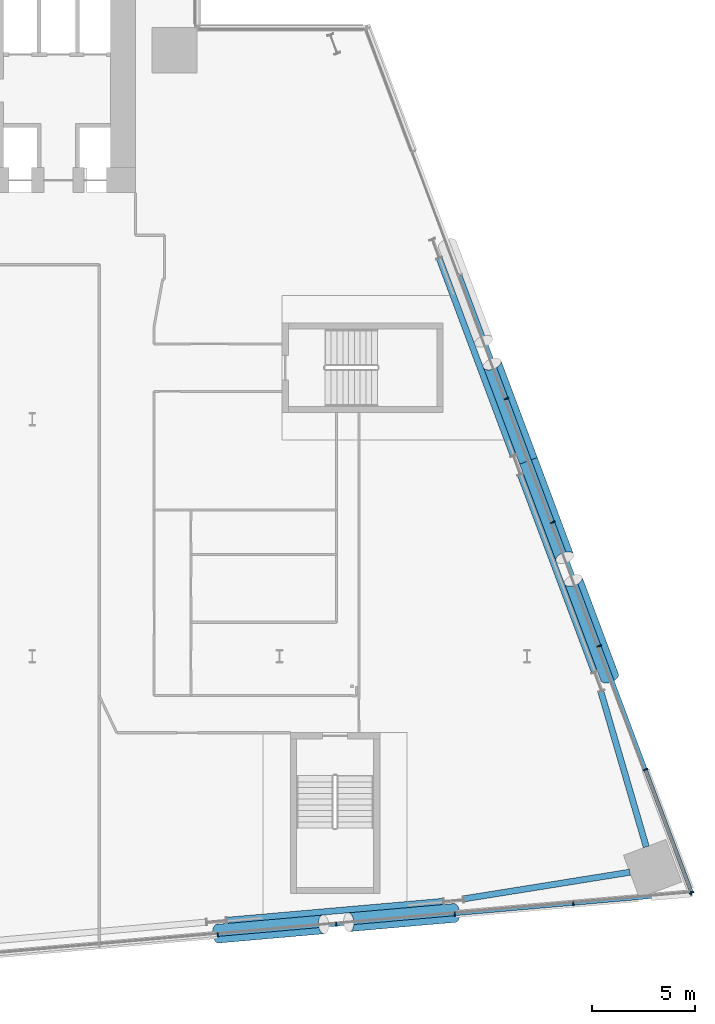
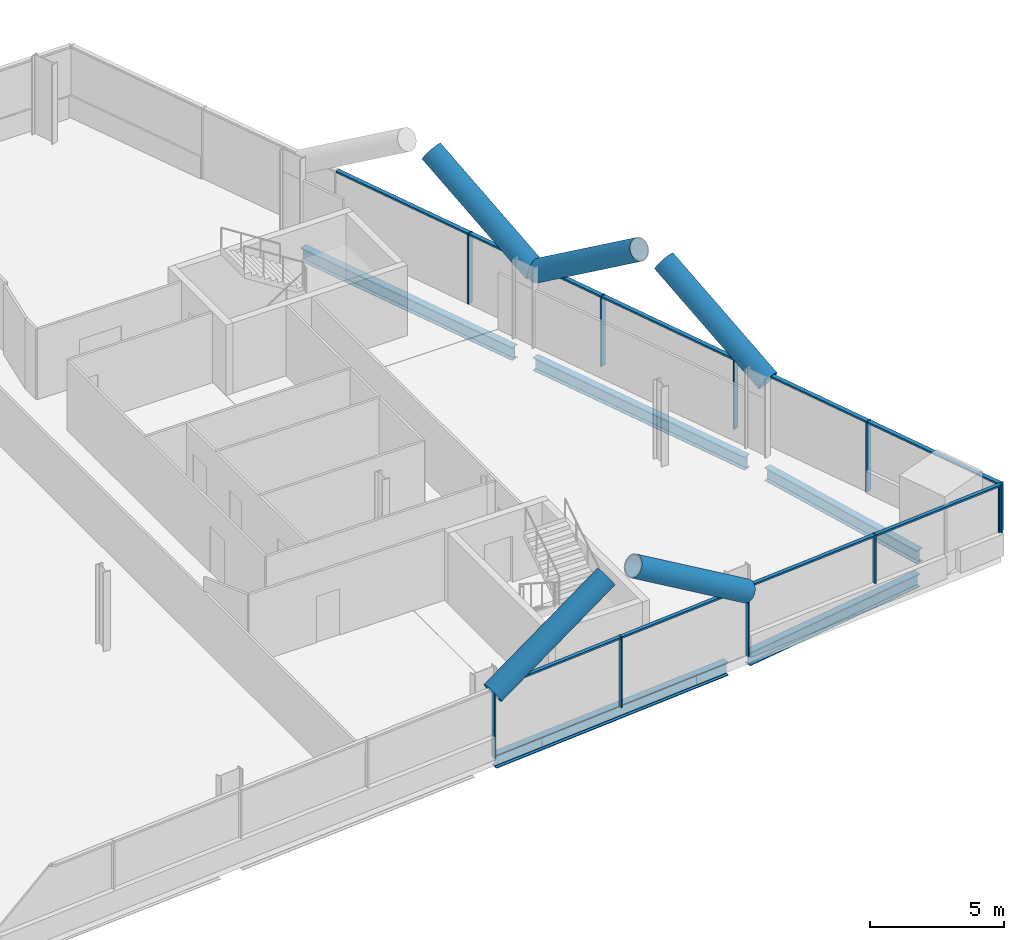
# One storey, part 9 of 24: 24 members, 5 beams, 2 elements without a shape of their own.
"""IFC4 building model written with IfcOpenShell, lengths in metres."""

import ifcopenshell
import ifcopenshell.guid

model = None  # the IFC model being written
_history = None  # IfcOwnerHistory: only IFC2X3 demands one
_inside = {}  # id of a spatial element -> (the spatial element, [elements in it])
_under = {}  # id of a project, library or spatial element -> (it, [spatial elements below it])
_declared = {}  # id of a project -> (the project, [libraries it declares])
_typed = {}  # id of a type object -> (the type object, [elements of that type])
_made_of = {}  # id of a material, layer set ... -> (it, [elements and type objects made of it])


def new_model(schema):
    """Start an empty IFC model of exactly this schema.

    Asked for "IFC4X3", IfcOpenShell would pick the latest addendum, in which some entities
    have other attributes; the version numbers below select the first issue.
    IFC2X3 requires an IfcOwnerHistory on every rooted entity: one is made here for all.
    """
    global model, _history
    if schema == "IFC4X3":
        model = ifcopenshell.file(schema_version=(4, 3, 0, 0))
    else:
        model = ifcopenshell.file(schema=schema)
    _inside.clear()
    _under.clear()
    _declared.clear()
    _typed.clear()
    _made_of.clear()
    _history = None
    if model.schema == "IFC2X3":
        org = make("IfcOrganization", Name="unknown")
        user = make(
            "IfcPersonAndOrganization",
            ThePerson=make("IfcPerson", FamilyName="unknown"),
            TheOrganization=org,
        )
        app = make(
            "IfcApplication",
            ApplicationDeveloper=org,
            Version="unknown",
            ApplicationFullName="unknown",
            ApplicationIdentifier="unknown",
        )
        _history = make(
            "IfcOwnerHistory",
            OwningUser=user,
            OwningApplication=app,
            ChangeAction="ADDED",
            CreationDate=0,
        )
    return model


def make(cls, **values):
    """One entity of the class cls with the attributes given. An attribute that is None is left unset."""
    return model.create_entity(
        cls, **{name: value for name, value in values.items() if value is not None}
    )


def rooted(cls, **values):
    """An entity with a GlobalId (a new one), such as an element, a storey or a relation."""
    return make(cls, GlobalId=ifcopenshell.guid.new(), OwnerHistory=_history, **values)


def si_unit(unit_type, name, prefix=None):
    """IfcSIUnit, for example si_unit("LENGTHUNIT", "METRE", prefix="MILLI")."""
    return make("IfcSIUnit", UnitType=unit_type, Prefix=prefix, Name=name)


def assignment(units):
    """IfcUnitAssignment: the units of a project."""
    return None if units is None else make("IfcUnitAssignment", Units=units)


def point(xyz):
    """IfcCartesianPoint."""
    return None if xyz is None else make("IfcCartesianPoint", Coordinates=xyz)


def direction(xyz):
    """IfcDirection."""
    return None if xyz is None else make("IfcDirection", DirectionRatios=xyz)


def frame(location, z_axis=None, x_axis=None):
    """IfcAxis2Placement3D, a coordinate frame: its origin and axes. An axis left out is left unset."""
    return make(
        "IfcAxis2Placement3D",
        Location=point(location),
        Axis=direction(z_axis),
        RefDirection=direction(x_axis),
    )


def frame_2d(location, x_axis=None):
    """IfcAxis2Placement2D, a coordinate frame in the plane: its origin and x axis."""
    return make(
        "IfcAxis2Placement2D", Location=point(location), RefDirection=direction(x_axis)
    )


def origin():
    """The frame at (0, 0, 0) with its axes left unset."""
    return frame((0.0, 0.0, 0.0))


def origin_2d():
    """The frame at (0, 0) in the plane with its x axis left unset."""
    return frame_2d((0.0, 0.0))


def place(relative_to, where):
    """IfcLocalPlacement: puts the frame where relative to a parent placement (None: the world)."""
    return make(
        "IfcLocalPlacement", PlacementRelTo=relative_to, RelativePlacement=where
    )


def context(
    kind, dimensions, precision=None, world=None, true_north=None, identifier=None
):
    """IfcGeometricRepresentationContext, for example the 3D "Model" context."""
    return make(
        "IfcGeometricRepresentationContext",
        ContextIdentifier=identifier,
        ContextType=kind,
        CoordinateSpaceDimension=dimensions,
        Precision=precision,
        WorldCoordinateSystem=world,
        TrueNorth=true_north,
    )


def subcontext(parent, identifier, kind, view, scale=None):
    """IfcGeometricRepresentationSubContext, for example "Body" below "Model"."""
    return make(
        "IfcGeometricRepresentationSubContext",
        ContextIdentifier=identifier,
        ContextType=kind,
        ParentContext=parent,
        TargetScale=scale,
        TargetView=view,
    )


def project(units=None, contexts=None):
    """IfcProject with its units and contexts."""
    return rooted(
        "IfcProject",
        Name="project",
        RepresentationContexts=contexts,
        UnitsInContext=assignment(units),
    )


def spatial(cls, under=None, at=None, **own):
    """A site, building, storey or space (cls), placed at a placement, below another one or the project."""
    s = rooted(cls, ObjectPlacement=at, **own)
    if under is not None:
        _under.setdefault(under.id(), (under, []))[1].append(s)
    return s


def profile(cls, at=None, kind="AREA", **sizes):
    """A parametric profile (cls). Its sizes go by their IFC names, for example OverallWidth=200.0."""
    return make(cls, ProfileType=kind, Position=at, **sizes)


def rectangle(**sizes):
    """IfcRectangleProfileDef."""
    return profile("IfcRectangleProfileDef", **sizes)


def hollow_circle(**sizes):
    """IfcCircleHollowProfileDef."""
    return profile("IfcCircleHollowProfileDef", **sizes)


def i_section(**sizes):
    """IfcIShapeProfileDef."""
    return profile("IfcIShapeProfileDef", **sizes)


def extrude(swept, where, along, depth):
    """IfcExtrudedAreaSolid: the profile swept, set in the frame where, extruded along a direction by depth."""
    return make(
        "IfcExtrudedAreaSolid",
        SweptArea=swept,
        Position=where,
        ExtrudedDirection=direction(along),
        Depth=depth,
    )


def shape(context_of_items, identifier, shape_type, items):
    """IfcShapeRepresentation: the items that make up one representation, for example the "Body"."""
    return make(
        "IfcShapeRepresentation",
        ContextOfItems=context_of_items,
        RepresentationIdentifier=identifier,
        RepresentationType=shape_type,
        Items=items,
    )


def material(Name=None, Category=None):
    """IfcMaterial."""
    return make("IfcMaterial", Name=Name, Category=Category)


def material_profile(
    of_material, cross_section, Name=None, Category=None, Priority=None
):
    """IfcMaterialProfile: a cross section and its material."""
    return make(
        "IfcMaterialProfile",
        Name=Name,
        Material=of_material,
        Profile=cross_section,
        Priority=Priority,
        Category=Category,
    )


def profile_set(profiles, Name=None, composite=None):
    """IfcMaterialProfileSet."""
    return make(
        "IfcMaterialProfileSet",
        Name=Name,
        MaterialProfiles=profiles,
        CompositeProfile=composite,
    )


def made_of(thing, what):
    """Note that an element or type object is made of a material, layer set ...; save() writes the relation."""
    if what is not None:
        _made_of.setdefault(what.id(), (what, []))[1].append(thing)
    return thing


def type_object(cls, material=None, **own):
    """A type object (cls), such as IfcWallType, which elements share."""
    return made_of(rooted(cls, **own), material)


def element(
    cls,
    number,
    at=None,
    inside=None,
    cuts=None,
    type_object=None,
    material=None,
    context=None,
    identifier="Body",
    shape_type=None,
    held_by="IfcProductDefinitionShape",
    body=None,
    shapes=None,
    **own,
):
    """One element of the class cls, such as IfcWall. Its Tag is "e" and its number.

    at: its placement. inside: the storey or other place that contains it. cuts: it is an
    opening in that element (IfcRelVoidsElement). A single representation is given by context,
    identifier, shape_type and body (its items); several are given by shapes. held_by: the class
    of the entity that holds the representations. save() writes the other relations.
    """
    e = rooted(cls, Tag="e%d" % number, ObjectPlacement=at, **own)
    if body is not None:
        shapes = [shape(context, identifier, shape_type, body)]
    if shapes is not None:
        e.Representation = make(held_by, Representations=shapes)
    if inside is not None:
        _inside.setdefault(inside.id(), (inside, []))[1].append(e)
    if cuts is not None:
        rooted(
            "IfcRelVoidsElement", RelatingBuildingElement=cuts, RelatedOpeningElement=e
        )
    if type_object is not None:
        _typed.setdefault(type_object.id(), (type_object, []))[1].append(e)
    return made_of(e, material)


def aggregate(whole, parts):
    """IfcRelAggregates: a whole, such as a stair, and the parts it consists of."""
    return rooted("IfcRelAggregates", RelatingObject=whole, RelatedObjects=parts)


def save(model, path):
    """Write the relations noted so far, then the file.

    IfcRelAggregates (storeys below a building ...), IfcRelContainedInSpatialStructure (elements
    in a storey), IfcRelDefinesByType, IfcRelAssociatesMaterial and IfcRelDeclares: one each for
    every whole, place, type object, material and project.
    """
    for whole, parts in _under.values():
        aggregate(whole, parts)
    for where, things in _inside.values():
        rooted(
            "IfcRelContainedInSpatialStructure",
            RelatedElements=things,
            RelatingStructure=where,
        )
    for kind, things in _typed.values():
        rooted("IfcRelDefinesByType", RelatedObjects=things, RelatingType=kind)
    for what, things in _made_of.values():
        rooted("IfcRelAssociatesMaterial", RelatedObjects=things, RelatingMaterial=what)
    for by, libraries in _declared.values():
        rooted("IfcRelDeclares", RelatingContext=by, RelatedDefinitions=libraries)
    model.write(path)


model = new_model("IFC4")

# Units and contexts
model_context = context("Model", 3, precision=1e-05, world=origin(), true_north=direction((0.0, 1.0)))
body_context = subcontext(model_context, "Body", "Model", "MODEL_VIEW")
ifc_project = project(units=[si_unit("LENGTHUNIT", "METRE"), si_unit("AREAUNIT", "SQUARE_METRE"), si_unit("VOLUMEUNIT", "CUBIC_METRE"), si_unit("PLANEANGLEUNIT", "RADIAN"), si_unit("MASSUNIT", "GRAM", prefix="KILO")], contexts=[model_context])

# Site, building, storey
site_placement = place(None, origin())
site = spatial("IfcSite", under=ifc_project, at=site_placement, CompositionType="ELEMENT")
building_placement = place(site_placement, origin())
building = spatial("IfcBuilding", under=site, at=building_placement, Name="Wharfspan Tower", CompositionType="ELEMENT")
storey_placement = place(building_placement, frame((0.0, 0.0, 66.699951)))
storey = spatial("IfcBuildingStorey", under=building, at=storey_placement, Name="L13", CompositionType="ELEMENT", Elevation=66.699951)

# Beams
ifc_material_1 = material(Name="Steel S355J2", Category="steel")
ifc_material_profile_1 = material_profile(ifc_material_1, i_section(OverallWidth=0.300049, OverallDepth=0.600098, WebThickness=0.015381, FlangeThickness=0.030029, FilletRadius=0.0271, at=origin_2d()))
ifc_profile_set_1 = profile_set([ifc_material_profile_1], Name="Steel S355J2")
beam_type = type_object("IfcBeamType", Name="Edge beam HEB 600", PredefinedType="SPANDREL", material=ifc_profile_set_1)
beam_1_placement = place(storey_placement, frame((69.440674, -1.311279, -0.699951), z_axis=(0.996193, 0.087178, 0.0), x_axis=(-0.087178, 0.996193, 0.0)))
element("IfcBeam", 1, at=beam_1_placement, inside=storey, type_object=beam_type, Name="Edge beam S2 L13 PS2.2 to PS2.3", PredefinedType="SPANDREL", context=body_context, shape_type="SweptSolid", body=[
    extrude(i_section(OverallWidth=0.300049, OverallDepth=0.600098, WebThickness=0.015381, FlangeThickness=0.030029, FilletRadius=0.0271, at=origin_2d()), origin(), (0.0, 0.0, 1.0), 10.543701),
])
beam_2_placement = place(storey_placement, frame((80.9375, -0.269287, -0.699951), z_axis=(0.987379, 0.158378, 0.0), x_axis=(-0.158378, 0.987379, 0.0)))
element("IfcBeam", 2, at=beam_2_placement, inside=storey, type_object=beam_type, Name="Edge beam S2 L13 PS2.3 to MC4", PredefinedType="SPANDREL", context=body_context, shape_type="SweptSolid", body=[
    extrude(i_section(OverallWidth=0.300049, OverallDepth=0.600098, WebThickness=0.015381, FlangeThickness=0.030029, FilletRadius=0.0271, at=origin_2d()), origin(), (0.0, 0.0, 1.0), 8.157715),
])
beam_3_placement = place(storey_placement, frame((89.788086, 2.254639, -0.699951), z_axis=(-0.280694, 0.959797, 0.0), x_axis=(-0.959797, -0.280694, 0.0)))
element("IfcBeam", 3, at=beam_3_placement, inside=storey, type_object=beam_type, Name="Edge beam E L13 MC4 to PE.1", PredefinedType="SPANDREL", context=body_context, shape_type="SweptSolid", body=[
    extrude(i_section(OverallWidth=0.300049, OverallDepth=0.600098, WebThickness=0.015381, FlangeThickness=0.030029, FilletRadius=0.0271, at=origin_2d()), origin(), (0.0, 0.0, 1.0), 7.8479),
])
for number, where, z_axis, x_axis, name in (
    (4, (87.269043, 10.736328, -0.699951), (-0.351126, 0.936328, 0.0), (-0.936328, -0.351126, 0.0), "Edge beam E L13 PE.1 to PE.2"),
    (5, (83.331543, 21.236328, -0.699951), (-0.351126, 0.936328, 0.0), (-0.936328, -0.351126, 0.0), "Edge beam E L13 PE.2 to PE.3"),
):
    element("IfcBeam", number, at=place(storey_placement, frame(where, z_axis=z_axis, x_axis=x_axis)), inside=storey, type_object=beam_type, Name=name, PredefinedType="SPANDREL", context=body_context, shape_type="SweptSolid", body=[
        extrude(i_section(OverallWidth=0.300049, OverallDepth=0.600098, WebThickness=0.015381, FlangeThickness=0.030029, FilletRadius=0.0271, at=origin_2d()), origin(), (0.0, 0.0, 1.0), 10.214111),
    ])

# Curtain wall, members
ifc_material_2 = material(Name="Aluminium 6063-T6", Category="aluminium")
curtain_wall_type_1 = type_object("IfcCurtainWallType", Name="CURTAIN WALL FACETED FRONT", PredefinedType="NOTDEFINED", material=ifc_material_2)
curtain_wall_1_placement = place(storey_placement, origin())
curtain_wall_1 = element("IfcCurtainWall", 6, at=curtain_wall_1_placement, inside=storey, type_object=curtain_wall_type_1, Name="Curtain wall S2", PredefinedType="NOTDEFINED")
ifc_material_profile_2 = material_profile(ifc_material_2, rectangle(XDim=0.199951, YDim=0.060059, at=origin_2d()))
ifc_profile_set_2 = profile_set([ifc_material_profile_2], Name="Aluminium 6063-T6")
member_type_1 = type_object("IfcMemberType", Name="MULLION FACETED FRONT 60x200", PredefinedType="MULLION", material=ifc_profile_set_2)
member_1_placement = place(storey_placement, frame((69.0, -2.012207, 0.0), z_axis=(0.0, 0.0, 1.0), x_axis=(-0.087156, 0.996197, 0.0)))
member_1 = element("IfcMember", 7, at=member_1_placement, type_object=member_type_1, Name="Curtain wall S2 mullion 5", PredefinedType="MULLION", context=body_context, shape_type="SweptSolid", body=[
    extrude(rectangle(XDim=0.199951, YDim=0.060059, at=origin_2d()), origin(), (0.0, 0.0, 1.0), 3.199951),
])
member_2_placement = place(storey_placement, frame((74.75, -1.509277, 0.0), z_axis=(0.0, 0.0, 1.0), x_axis=(-0.087156, 0.996197, 0.0)))
member_2 = element("IfcMember", 8, at=member_2_placement, type_object=member_type_1, Name="Curtain wall S2 mullion 6", PredefinedType="MULLION", context=body_context, shape_type="SweptSolid", body=[
    extrude(rectangle(XDim=0.199951, YDim=0.060059, at=origin_2d()), origin(), (0.0, 0.0, 1.0), 3.199951),
])
member_3_placement = place(storey_placement, frame((80.5, -1.006104, 0.0), z_axis=(0.0, 0.0, 1.0), x_axis=(-0.087156, 0.996197, 0.0)))
member_3 = element("IfcMember", 9, at=member_3_placement, type_object=member_type_1, Name="Curtain wall S2 mullion 7", PredefinedType="MULLION", context=body_context, shape_type="SweptSolid", body=[
    extrude(rectangle(XDim=0.199951, YDim=0.060059, at=origin_2d()), origin(), (0.0, 0.0, 1.0), 3.199951),
])
member_4_placement = place(storey_placement, frame((86.25, -0.503174, 1.0), z_axis=(0.0, 0.0, 1.0), x_axis=(-0.087156, 0.996197, 0.0)))
member_4 = element("IfcMember", 10, at=member_4_placement, type_object=member_type_1, Name="Curtain wall S2 mullion 8", PredefinedType="MULLION", context=body_context, shape_type="SweptSolid", body=[
    extrude(rectangle(XDim=0.199951, YDim=0.060059, at=origin_2d()), origin(), (0.0, 0.0, 1.0), 2.199951),
])
member_5_placement = place(storey_placement, frame((91.970215, -0.002686, 1.0), z_axis=(0.0, 0.0, 1.0), x_axis=(-0.087156, 0.996197, 0.0)))
member_5 = element("IfcMember", 11, at=member_5_placement, type_object=member_type_1, Name="Curtain wall S2 mullion 9", PredefinedType="MULLION", context=body_context, shape_type="SweptSolid", body=[
    extrude(rectangle(XDim=0.199951, YDim=0.060059, at=origin_2d()), origin(), (0.0, 0.0, 1.0), 2.199951),
])

curtain_wall_type_2 = type_object("IfcCurtainWallType", Name="CURTAIN WALL PROW AND END", PredefinedType="NOTDEFINED", material=ifc_material_2)
curtain_wall_2_placement = place(storey_placement, origin())
curtain_wall_2 = element("IfcCurtainWall", 12, at=curtain_wall_2_placement, inside=storey, type_object=curtain_wall_type_2, Name="Curtain wall E", PredefinedType="NOTDEFINED")
ifc_material_profile_3 = material_profile(ifc_material_2, rectangle(XDim=0.23999, YDim=0.060059, at=origin_2d()))
ifc_profile_set_3 = profile_set([ifc_material_profile_3], Name="Aluminium 6063-T6")
member_type_2 = type_object("IfcMemberType", Name="MULLION PROW AND END 60x240", PredefinedType="MULLION", material=ifc_profile_set_3)
member_6_placement = place(storey_placement, frame((91.989502, 0.028076, 1.0), z_axis=(0.0, 0.0, 1.0), x_axis=(-0.936328, -0.351123, 0.0)))
member_6 = element("IfcMember", 13, at=member_6_placement, type_object=member_type_2, Name="Curtain wall E mullion 1", PredefinedType="MULLION", context=body_context, shape_type="SweptSolid", body=[
    extrude(rectangle(XDim=0.23999, YDim=0.060059, at=origin_2d()), origin(), (0.0, 0.0, 1.0), 2.199951),
])
member_7_placement = place(storey_placement, frame((89.75, 6.0, 0.0), z_axis=(0.0, 0.0, 1.0), x_axis=(-0.936328, -0.351123, 0.0)))
member_7 = element("IfcMember", 14, at=member_7_placement, type_object=member_type_2, Name="Curtain wall E mullion 2", PredefinedType="MULLION", context=body_context, shape_type="SweptSolid", body=[
    extrude(rectangle(XDim=0.23999, YDim=0.060059, at=origin_2d()), origin(), (0.0, 0.0, 1.0), 3.199951),
])
member_8_placement = place(storey_placement, frame((87.5, 12.0, 0.0), z_axis=(0.0, 0.0, 1.0), x_axis=(-0.936328, -0.351123, 0.0)))
member_8 = element("IfcMember", 15, at=member_8_placement, type_object=member_type_2, Name="Curtain wall E mullion 3", PredefinedType="MULLION", context=body_context, shape_type="SweptSolid", body=[
    extrude(rectangle(XDim=0.23999, YDim=0.060059, at=origin_2d()), origin(), (0.0, 0.0, 1.0), 3.199951),
])
member_9_placement = place(storey_placement, frame((85.25, 18.0, 0.0), z_axis=(0.0, 0.0, 1.0), x_axis=(-0.936328, -0.351123, 0.0)))
member_9 = element("IfcMember", 16, at=member_9_placement, type_object=member_type_2, Name="Curtain wall E mullion 4", PredefinedType="MULLION", context=body_context, shape_type="SweptSolid", body=[
    extrude(rectangle(XDim=0.23999, YDim=0.060059, at=origin_2d()), origin(), (0.0, 0.0, 1.0), 3.199951),
])
member_10_placement = place(storey_placement, frame((83.0, 24.0, 0.0), z_axis=(0.0, 0.0, 1.0), x_axis=(-0.936328, -0.351123, 0.0)))
member_10 = element("IfcMember", 17, at=member_10_placement, type_object=member_type_2, Name="Curtain wall E mullion 5", PredefinedType="MULLION", context=body_context, shape_type="SweptSolid", body=[
    extrude(rectangle(XDim=0.23999, YDim=0.060059, at=origin_2d()), origin(), (0.0, 0.0, 1.0), 3.199951),
])

# Members
ifc_material_3 = material(Name="Steel S460NH", Category="steel")
ifc_material_profile_4 = material_profile(ifc_material_3, hollow_circle(Radius=0.457031, WallThickness=0.040039, at=origin_2d()))
ifc_profile_set_4 = profile_set([ifc_material_profile_4], Name="Steel S460NH")
member_type_3 = type_object("IfcMemberType", Name="Mega brace CHS 914x40", PredefinedType="BRACE", material=ifc_profile_set_4)
member_11_placement = place(storey_placement, frame((68.995117, -1.95752, 2.900146), z_axis=(0.84528, 0.073961, 0.52918), x_axis=(-0.087165, 0.996192, -1e-06)))
element("IfcMember", 18, at=member_11_placement, inside=storey, type_object=member_type_3, Name="Mega brace S2 L14 part 1", PredefinedType="BRACE", context=body_context, shape_type="SweptSolid", body=[
    extrude(hollow_circle(Radius=0.457031, WallThickness=0.040039, at=origin_2d()), origin(), (0.0, 0.0, 1.0), 6.07373),
])
member_12_placement = place(storey_placement, frame((80.495117, -0.951416, 2.900146), z_axis=(-0.845271, -0.073923, 0.529199), x_axis=(0.087123, -0.996199, 1e-06)))
element("IfcMember", 19, at=member_12_placement, inside=storey, type_object=member_type_3, Name="Mega brace S2 L14 part 3", PredefinedType="BRACE", context=body_context, shape_type="SweptSolid", body=[
    extrude(hollow_circle(Radius=0.457031, WallThickness=0.040039, at=origin_2d()), origin(), (0.0, 0.0, 1.0), 6.073486),
])
for number, where, z_axis, x_axis, name in (
    (20, (88.010986, 10.480713, 2.900146), (-0.295466, 0.787922, 0.540259), (-0.936329, -0.351115, -4e-06), "Mega brace E5 L14 part 1"),
    (21, (84.073486, 20.980713, 2.900146), (0.295466, -0.787922, 0.540259), (0.936329, 0.351115, -4e-06), "Mega brace E5 L14 part 3"),
    (22, (84.073486, 20.980713, 2.900146), (-0.295466, 0.787922, 0.540259), (-0.936329, -0.351115, -4e-06), "Mega brace E6 L14 part 1"),
):
    element("IfcMember", number, at=place(storey_placement, frame(where, z_axis=z_axis, x_axis=x_axis)), inside=storey, type_object=member_type_3, Name=name, PredefinedType="BRACE", context=body_context, shape_type="SweptSolid", body=[
        extrude(hollow_circle(Radius=0.457031, WallThickness=0.040039, at=origin_2d()), origin(), (0.0, 0.0, 1.0), 5.955078),
    ])

# Member
ifc_material_profile_5 = material_profile(ifc_material_2, rectangle(XDim=0.159912, YDim=0.080078, at=origin_2d()))
ifc_profile_set_5 = profile_set([ifc_material_profile_5], Name="Aluminium 6063-T6")
member_type_4 = type_object("IfcMemberType", Name="TRANSOM FACETED FRONT 80x160", PredefinedType="USERDEFINED", material=ifc_profile_set_5)
member_13_placement = place(storey_placement, frame((69.029785, -2.009521, 3.160156), z_axis=(0.996195, 0.087148, 0.0), x_axis=(-0.087148, 0.996195, 0.0)))
member_13 = element("IfcMember", 23, at=member_13_placement, type_object=member_type_4, Name="Curtain wall S2 transom 5", ObjectType="TRANSOM", PredefinedType="USERDEFINED", context=body_context, shape_type="SweptSolid", body=[
    extrude(rectangle(XDim=0.159912, YDim=0.080078, at=origin_2d()), origin(), (0.0, 0.0, 1.0), 5.712158),
])

member_14_placement = place(storey_placement, frame((74.779785, -1.506592, 3.160156), z_axis=(0.996195, 0.087148, 0.0), x_axis=(-0.087148, 0.996195, 0.0)))
member_14 = element("IfcMember", 24, at=member_14_placement, type_object=member_type_4, Name="Curtain wall S2 transom 6", ObjectType="TRANSOM", PredefinedType="USERDEFINED", context=body_context, shape_type="SweptSolid", body=[
    extrude(rectangle(XDim=0.159912, YDim=0.080078, at=origin_2d()), origin(), (0.0, 0.0, 1.0), 5.712158),
])

member_15_placement = place(storey_placement, frame((80.529785, -1.003418, 3.160156), z_axis=(0.996195, 0.087148, 0.0), x_axis=(-0.087148, 0.996195, 0.0)))
member_15 = element("IfcMember", 25, at=member_15_placement, type_object=member_type_4, Name="Curtain wall S2 transom 7", ObjectType="TRANSOM", PredefinedType="USERDEFINED", context=body_context, shape_type="SweptSolid", body=[
    extrude(rectangle(XDim=0.159912, YDim=0.080078, at=origin_2d()), origin(), (0.0, 0.0, 1.0), 5.712158),
])

member_16_placement = place(storey_placement, frame((86.279785, -0.500488, 3.160156), z_axis=(0.996193, 0.08718, 0.0), x_axis=(-0.08718, 0.996193, 0.0)))
member_16 = element("IfcMember", 26, at=member_16_placement, type_object=member_type_4, Name="Curtain wall S2 transom 8", ObjectType="TRANSOM", PredefinedType="USERDEFINED", context=body_context, shape_type="SweptSolid", body=[
    extrude(rectangle(XDim=0.159912, YDim=0.080078, at=origin_2d()), origin(), (0.0, 0.0, 1.0), 5.682129),
])

aggregate(curtain_wall_1, [member_1, member_2, member_3, member_4, member_5, member_13, member_14, member_15, member_16])

ifc_material_profile_6 = material_profile(ifc_material_2, rectangle(XDim=0.179932, YDim=0.080078, at=origin_2d()))
ifc_profile_set_6 = profile_set([ifc_material_profile_6], Name="Aluminium 6063-T6")
member_type_5 = type_object("IfcMemberType", Name="TRANSOM PROW AND END 80x180", PredefinedType="USERDEFINED", material=ifc_profile_set_6)
member_17_placement = place(storey_placement, frame((91.979004, 0.056152, 3.160156), z_axis=(-0.351136, 0.936324, 0.0), x_axis=(-0.936324, -0.351136, 0.0)))
member_17 = element("IfcMember", 27, at=member_17_placement, type_object=member_type_5, Name="Curtain wall E transom 1", ObjectType="TRANSOM", PredefinedType="USERDEFINED", context=body_context, shape_type="SweptSolid", body=[
    extrude(rectangle(XDim=0.179932, YDim=0.080078, at=origin_2d()), origin(), (0.0, 0.0, 1.0), 6.318115),
])

member_18_placement = place(storey_placement, frame((89.739502, 6.028076, 3.160156), z_axis=(-0.351132, 0.936326, 0.0), x_axis=(-0.936326, -0.351132, 0.0)))
member_18 = element("IfcMember", 28, at=member_18_placement, type_object=member_type_5, Name="Curtain wall E transom 2", ObjectType="TRANSOM", PredefinedType="USERDEFINED", context=body_context, shape_type="SweptSolid", body=[
    extrude(rectangle(XDim=0.179932, YDim=0.080078, at=origin_2d()), origin(), (0.0, 0.0, 1.0), 6.348145),
])

member_19_placement = place(storey_placement, frame((87.489502, 12.028076, 3.160156), z_axis=(-0.351132, 0.936326, 0.0), x_axis=(-0.936326, -0.351132, 0.0)))
member_19 = element("IfcMember", 29, at=member_19_placement, type_object=member_type_5, Name="Curtain wall E transom 3", ObjectType="TRANSOM", PredefinedType="USERDEFINED", context=body_context, shape_type="SweptSolid", body=[
    extrude(rectangle(XDim=0.179932, YDim=0.080078, at=origin_2d()), origin(), (0.0, 0.0, 1.0), 6.348145),
])

member_20_placement = place(storey_placement, frame((85.239502, 18.028076, 3.160156), z_axis=(-0.351132, 0.936326, 0.0), x_axis=(-0.936326, -0.351132, 0.0)))
member_20 = element("IfcMember", 30, at=member_20_placement, type_object=member_type_5, Name="Curtain wall E transom 4", ObjectType="TRANSOM", PredefinedType="USERDEFINED", context=body_context, shape_type="SweptSolid", body=[
    extrude(rectangle(XDim=0.179932, YDim=0.080078, at=origin_2d()), origin(), (0.0, 0.0, 1.0), 6.348145),
])

member_21_placement = place(storey_placement, frame((82.989502, 24.028076, 3.160156), z_axis=(-0.351132, 0.936326, 0.0), x_axis=(-0.936326, -0.351132, 0.0)))
member_21 = element("IfcMember", 31, at=member_21_placement, type_object=member_type_5, Name="Curtain wall E transom 5", ObjectType="TRANSOM", PredefinedType="USERDEFINED", context=body_context, shape_type="SweptSolid", body=[
    extrude(rectangle(XDim=0.179932, YDim=0.080078, at=origin_2d()), origin(), (0.0, 0.0, 1.0), 6.348145),
])

aggregate(curtain_wall_2, [member_6, member_7, member_8, member_9, member_10, member_17, member_18, member_19, member_20, member_21])

save(model, "model.ifc")
